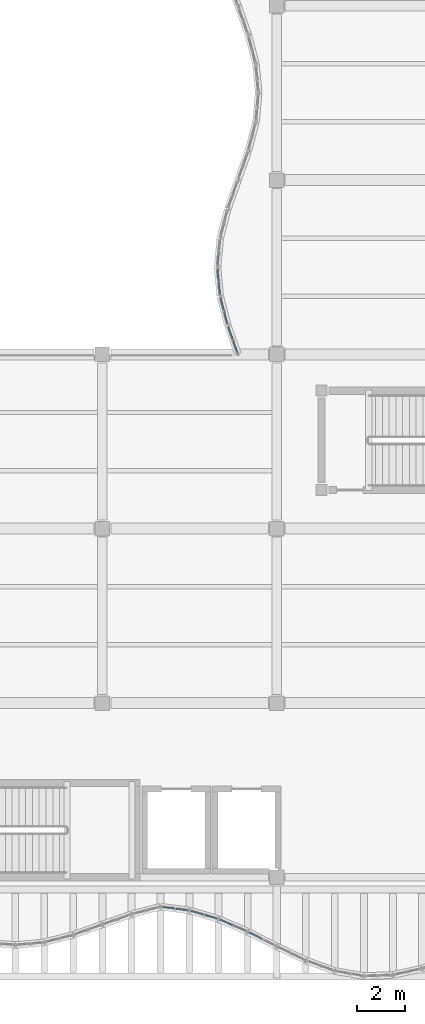
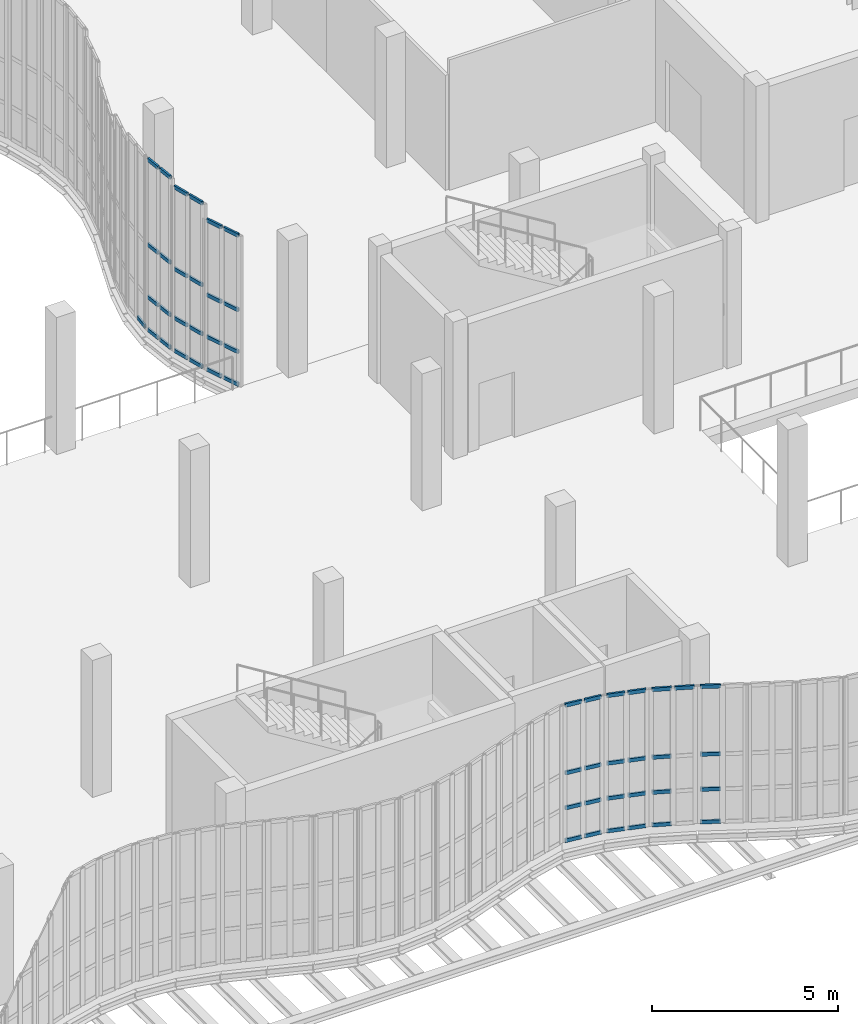
# One storey, part 50 of 105: 50 members, 8 elements without a shape of their own.
"""IFC4 building model written with IfcOpenShell, lengths in metres."""

from ifc_helpers import new_model, si_unit, direction, frame, origin, origin_2d, place, context, subcontext, project, spatial, hollow_rectangle, extrude, material, layer, layer_set, material_profile, profile_set, type_object, element, aggregate, save


model = new_model("IFC4")

# Units and contexts
model_context = context("Model", 3, precision=1e-05, world=origin(), true_north=direction((0.0, 1.0)))
body_context = subcontext(model_context, "Body", "Model", "MODEL_VIEW")
ifc_project = project(units=[si_unit("LENGTHUNIT", "METRE"), si_unit("AREAUNIT", "SQUARE_METRE"), si_unit("VOLUMEUNIT", "CUBIC_METRE"), si_unit("PLANEANGLEUNIT", "RADIAN"), si_unit("MASSUNIT", "GRAM", prefix="KILO"), si_unit("THERMODYNAMICTEMPERATUREUNIT", "KELVIN"), si_unit("POWERUNIT", "WATT")], contexts=[model_context])

# Site, building, storey
site_placement = place(None, origin())
site = spatial("IfcSite", under=ifc_project, at=site_placement, CompositionType="ELEMENT")
building_placement = place(site_placement, origin())
building = spatial("IfcBuilding", under=site, at=building_placement, Name="Kaldorven Railside Theatre", CompositionType="ELEMENT")
storey_placement = place(building_placement, frame((0.0, 0.0, 9.89990234375)))
storey = spatial("IfcBuildingStorey", under=building, at=storey_placement, Name="L02", CompositionType="ELEMENT", Elevation=9.89990234375)

# Curtain wall, members
ifc_material_1 = material(Name="Low-E laminated solar-control glass", Category="glass")
ifc_layer_1 = layer(ifc_material_1, 0.159912109375, Name="Low-E laminated solar-control glass")
ifc_layer_set_1 = layer_set([ifc_layer_1], Name="Low-E laminated solar-control glass")
curtain_wall_type_1 = type_object("IfcCurtainWallType", Name="CWT-03", PredefinedType="USERDEFINED", material=ifc_layer_set_1)
curtain_wall_1_placement = place(storey_placement, origin())
curtain_wall_1 = element("IfcCurtainWall", 1, at=curtain_wall_1_placement, inside=storey, type_object=curtain_wall_type_1, Name="Sinusoidal Fluted Curtain Wall CW-L02-S27", ObjectType="FLUTED GLAZING", PredefinedType="USERDEFINED")
ifc_material_2 = material(Name="Anodised bronze aluminium", Category="aluminium")
ifc_material_profile = material_profile(ifc_material_2, hollow_rectangle(XDim=0.06005859375, YDim=0.1201171875, WallThickness=0.0048828125, at=origin_2d()), Name="RHS 120x60x5")
ifc_profile_set = profile_set([ifc_material_profile], Name="Anodised bronze aluminium")
member_type = type_object("IfcMemberType", Name="CWT-120", PredefinedType="USERDEFINED", material=ifc_profile_set)
member_1_placement = place(storey_placement, frame((68.079345703125, 17.975830078125, 0.030029296875), z_axis=(0.991662051315, -0.128865728496, 0.0), x_axis=(0.128865728496, 0.991662051315, 0.0)))
member_1 = element("IfcMember", 2, at=member_1_placement, type_object=member_type, Name="CW-L02-S27 transom 1.1", ObjectType="TRANSOM", PredefinedType="USERDEFINED", context=body_context, shape_type="SweptSolid", body=[
    extrude(hollow_rectangle(XDim=0.06005859375, YDim=0.1201171875, WallThickness=0.0048828125, at=origin_2d()), origin(), (0.0, 0.0, 1.0), 0.485107421875),
])
member_2_placement = place(storey_placement, frame((68.079345703125, 17.975830078125, 1.10009765625), z_axis=(0.991662051315, -0.128865728496, 0.0), x_axis=(0.128865728496, 0.991662051315, 0.0)))
member_2 = element("IfcMember", 3, at=member_2_placement, type_object=member_type, Name="CW-L02-S27 transom 1.2", ObjectType="TRANSOM", PredefinedType="USERDEFINED", context=body_context, shape_type="SweptSolid", body=[
    extrude(hollow_rectangle(XDim=0.06005859375, YDim=0.1201171875, WallThickness=0.0048828125, at=origin_2d()), origin(), (0.0, 0.0, 1.0), 0.485107421875),
])
member_3_placement = place(storey_placement, frame((68.079345703125, 17.975830078125, 2.25), z_axis=(0.991662051315, -0.128865728496, 0.0), x_axis=(0.128865728496, 0.991662051315, 0.0)))
member_3 = element("IfcMember", 4, at=member_3_placement, type_object=member_type, Name="CW-L02-S27 transom 1.3", ObjectType="TRANSOM", PredefinedType="USERDEFINED", context=body_context, shape_type="SweptSolid", body=[
    extrude(hollow_rectangle(XDim=0.06005859375, YDim=0.1201171875, WallThickness=0.0048828125, at=origin_2d()), origin(), (0.0, 0.0, 1.0), 0.485107421875),
])
member_4_placement = place(storey_placement, frame((68.079345703125, 17.975830078125, 4.47021484375), z_axis=(0.991662051315, -0.128865728496, 0.0), x_axis=(0.128865728496, 0.991662051315, 0.0)))
member_4 = element("IfcMember", 5, at=member_4_placement, type_object=member_type, Name="CW-L02-S27 transom 1.4", ObjectType="TRANSOM", PredefinedType="USERDEFINED", context=body_context, shape_type="SweptSolid", body=[
    extrude(hollow_rectangle(XDim=0.06005859375, YDim=0.1201171875, WallThickness=0.0048828125, at=origin_2d()), origin(), (0.0, 0.0, 1.0), 0.485107421875),
])
member_5_placement = place(storey_placement, frame((68.6396484375, 17.903076171875, 0.030029296875), z_axis=(0.991662051315, -0.128865728496, 0.0), x_axis=(0.128865728496, 0.991662051315, 0.0)))
member_5 = element("IfcMember", 6, at=member_5_placement, type_object=member_type, Name="CW-L02-S27 transom 2.1", ObjectType="TRANSOM", PredefinedType="USERDEFINED", context=body_context, shape_type="SweptSolid", body=[
    extrude(hollow_rectangle(XDim=0.06005859375, YDim=0.1201171875, WallThickness=0.0048828125, at=origin_2d()), origin(), (0.0, 0.0, 1.0), 0.485107421875),
])
member_6_placement = place(storey_placement, frame((68.6396484375, 17.903076171875, 1.10009765625), z_axis=(0.991662051315, -0.128865728496, 0.0), x_axis=(0.128865728496, 0.991662051315, 0.0)))
member_6 = element("IfcMember", 7, at=member_6_placement, type_object=member_type, Name="CW-L02-S27 transom 2.2", ObjectType="TRANSOM", PredefinedType="USERDEFINED", context=body_context, shape_type="SweptSolid", body=[
    extrude(hollow_rectangle(XDim=0.06005859375, YDim=0.1201171875, WallThickness=0.0048828125, at=origin_2d()), origin(), (0.0, 0.0, 1.0), 0.485107421875),
])
member_7_placement = place(storey_placement, frame((68.6396484375, 17.903076171875, 2.25), z_axis=(0.991662051315, -0.128865728496, 0.0), x_axis=(0.128865728496, 0.991662051315, 0.0)))
member_7 = element("IfcMember", 8, at=member_7_placement, type_object=member_type, Name="CW-L02-S27 transom 2.3", ObjectType="TRANSOM", PredefinedType="USERDEFINED", context=body_context, shape_type="SweptSolid", body=[
    extrude(hollow_rectangle(XDim=0.06005859375, YDim=0.1201171875, WallThickness=0.0048828125, at=origin_2d()), origin(), (0.0, 0.0, 1.0), 0.485107421875),
])
member_8_placement = place(storey_placement, frame((68.6396484375, 17.903076171875, 4.47021484375), z_axis=(0.991662051315, -0.128865728496, 0.0), x_axis=(0.128865728496, 0.991662051315, 0.0)))
member_8 = element("IfcMember", 9, at=member_8_placement, type_object=member_type, Name="CW-L02-S27 transom 2.4", ObjectType="TRANSOM", PredefinedType="USERDEFINED", context=body_context, shape_type="SweptSolid", body=[
    extrude(hollow_rectangle(XDim=0.06005859375, YDim=0.1201171875, WallThickness=0.0048828125, at=origin_2d()), origin(), (0.0, 0.0, 1.0), 0.485107421875),
])
aggregate(curtain_wall_1, [member_1, member_2, member_3, member_4, member_5, member_6, member_7, member_8])

ifc_layer_2 = layer(ifc_material_1, 0.159912109375, Name="Low-E laminated solar-control glass")
ifc_layer_set_2 = layer_set([ifc_layer_2], Name="Low-E laminated solar-control glass")
curtain_wall_type_2 = type_object("IfcCurtainWallType", Name="CWT-04", PredefinedType="USERDEFINED", material=ifc_layer_set_2)
curtain_wall_2_placement = place(storey_placement, origin())
curtain_wall_2 = element("IfcCurtainWall", 10, at=curtain_wall_2_placement, inside=storey, type_object=curtain_wall_type_2, Name="Sinusoidal Fluted Curtain Wall CW-L02-S28", ObjectType="FLUTED GLAZING", PredefinedType="USERDEFINED")
member_9_placement = place(storey_placement, frame((69.276611328125, 17.8076171875, 0.030029296875), z_axis=(0.959157704719, -0.282871874668, 0.0), x_axis=(0.282871874668, 0.959157704719, 0.0)))
member_9 = element("IfcMember", 11, at=member_9_placement, type_object=member_type, Name="CW-L02-S28 transom 1.1", ObjectType="TRANSOM", PredefinedType="USERDEFINED", context=body_context, shape_type="SweptSolid", body=[
    extrude(hollow_rectangle(XDim=0.06005859375, YDim=0.1201171875, WallThickness=0.0048828125, at=origin_2d()), origin(), (0.0, 0.0, 1.0), 0.505859375),
])
member_10_placement = place(storey_placement, frame((69.276611328125, 17.8076171875, 1.10009765625), z_axis=(0.959157704719, -0.282871874668, 0.0), x_axis=(0.282871874668, 0.959157704719, 0.0)))
member_10 = element("IfcMember", 12, at=member_10_placement, type_object=member_type, Name="CW-L02-S28 transom 1.2", ObjectType="TRANSOM", PredefinedType="USERDEFINED", context=body_context, shape_type="SweptSolid", body=[
    extrude(hollow_rectangle(XDim=0.06005859375, YDim=0.1201171875, WallThickness=0.0048828125, at=origin_2d()), origin(), (0.0, 0.0, 1.0), 0.505859375),
])
member_11_placement = place(storey_placement, frame((69.276611328125, 17.8076171875, 2.25), z_axis=(0.959157704719, -0.282871874668, 0.0), x_axis=(0.282871874668, 0.959157704719, 0.0)))
member_11 = element("IfcMember", 13, at=member_11_placement, type_object=member_type, Name="CW-L02-S28 transom 1.3", ObjectType="TRANSOM", PredefinedType="USERDEFINED", context=body_context, shape_type="SweptSolid", body=[
    extrude(hollow_rectangle(XDim=0.06005859375, YDim=0.1201171875, WallThickness=0.0048828125, at=origin_2d()), origin(), (0.0, 0.0, 1.0), 0.505859375),
])
member_12_placement = place(storey_placement, frame((69.276611328125, 17.8076171875, 4.47021484375), z_axis=(0.959157704719, -0.282871874668, 0.0), x_axis=(0.282871874668, 0.959157704719, 0.0)))
member_12 = element("IfcMember", 14, at=member_12_placement, type_object=member_type, Name="CW-L02-S28 transom 1.4", ObjectType="TRANSOM", PredefinedType="USERDEFINED", context=body_context, shape_type="SweptSolid", body=[
    extrude(hollow_rectangle(XDim=0.06005859375, YDim=0.1201171875, WallThickness=0.0048828125, at=origin_2d()), origin(), (0.0, 0.0, 1.0), 0.505859375),
])
member_13_placement = place(storey_placement, frame((69.83837890625, 17.64208984375, 0.030029296875), z_axis=(0.959119052593, -0.283002902729, 0.0), x_axis=(0.283002902729, 0.959119052593, 0.0)))
member_13 = element("IfcMember", 15, at=member_13_placement, type_object=member_type, Name="CW-L02-S28 transom 2.1", ObjectType="TRANSOM", PredefinedType="USERDEFINED", context=body_context, shape_type="SweptSolid", body=[
    extrude(hollow_rectangle(XDim=0.06005859375, YDim=0.1201171875, WallThickness=0.0048828125, at=origin_2d()), origin(), (0.0, 0.0, 1.0), 0.505615234375),
])
member_14_placement = place(storey_placement, frame((69.83837890625, 17.64208984375, 1.10009765625), z_axis=(0.959119052593, -0.283002902729, 0.0), x_axis=(0.283002902729, 0.959119052593, 0.0)))
member_14 = element("IfcMember", 16, at=member_14_placement, type_object=member_type, Name="CW-L02-S28 transom 2.2", ObjectType="TRANSOM", PredefinedType="USERDEFINED", context=body_context, shape_type="SweptSolid", body=[
    extrude(hollow_rectangle(XDim=0.06005859375, YDim=0.1201171875, WallThickness=0.0048828125, at=origin_2d()), origin(), (0.0, 0.0, 1.0), 0.505615234375),
])
member_15_placement = place(storey_placement, frame((69.83837890625, 17.64208984375, 2.25), z_axis=(0.959119052593, -0.283002902729, 0.0), x_axis=(0.283002902729, 0.959119052593, 0.0)))
member_15 = element("IfcMember", 17, at=member_15_placement, type_object=member_type, Name="CW-L02-S28 transom 2.3", ObjectType="TRANSOM", PredefinedType="USERDEFINED", context=body_context, shape_type="SweptSolid", body=[
    extrude(hollow_rectangle(XDim=0.06005859375, YDim=0.1201171875, WallThickness=0.0048828125, at=origin_2d()), origin(), (0.0, 0.0, 1.0), 0.505615234375),
])
member_16_placement = place(storey_placement, frame((69.83837890625, 17.64208984375, 4.47021484375), z_axis=(0.959119052593, -0.283002902729, 0.0), x_axis=(0.283002902729, 0.959119052593, 0.0)))
member_16 = element("IfcMember", 18, at=member_16_placement, type_object=member_type, Name="CW-L02-S28 transom 2.4", ObjectType="TRANSOM", PredefinedType="USERDEFINED", context=body_context, shape_type="SweptSolid", body=[
    extrude(hollow_rectangle(XDim=0.06005859375, YDim=0.1201171875, WallThickness=0.0048828125, at=origin_2d()), origin(), (0.0, 0.0, 1.0), 0.505615234375),
])
aggregate(curtain_wall_2, [member_9, member_10, member_11, member_12, member_13, member_14, member_15, member_16])

ifc_layer_3 = layer(ifc_material_1, 0.159912109375, Name="Low-E laminated solar-control glass")
ifc_layer_set_3 = layer_set([ifc_layer_3], Name="Low-E laminated solar-control glass")
curtain_wall_type_3 = type_object("IfcCurtainWallType", Name="CWT-05", PredefinedType="USERDEFINED", material=ifc_layer_set_3)
curtain_wall_3_placement = place(storey_placement, origin())
curtain_wall_3 = element("IfcCurtainWall", 19, at=curtain_wall_3_placement, inside=storey, type_object=curtain_wall_type_3, Name="Sinusoidal Fluted Curtain Wall CW-L02-S29", ObjectType="FLUTED GLAZING", PredefinedType="USERDEFINED")
member_17_placement = place(storey_placement, frame((70.473388671875, 17.444580078125, 0.030029296875), z_axis=(0.917004668274, -0.398876470056, 0.0), x_axis=(0.398876470056, 0.917004668274, 0.0)))
member_17 = element("IfcMember", 20, at=member_17_placement, type_object=member_type, Name="CW-L02-S29 transom 1.1", ObjectType="TRANSOM", PredefinedType="USERDEFINED", context=body_context, shape_type="SweptSolid", body=[
    extrude(hollow_rectangle(XDim=0.06005859375, YDim=0.1201171875, WallThickness=0.0048828125, at=origin_2d()), origin(), (0.0, 0.0, 1.0), 0.534423828125),
])
member_18_placement = place(storey_placement, frame((70.473388671875, 17.444580078125, 1.10009765625), z_axis=(0.917004668274, -0.398876470056, 0.0), x_axis=(0.398876470056, 0.917004668274, 0.0)))
member_18 = element("IfcMember", 21, at=member_18_placement, type_object=member_type, Name="CW-L02-S29 transom 1.2", ObjectType="TRANSOM", PredefinedType="USERDEFINED", context=body_context, shape_type="SweptSolid", body=[
    extrude(hollow_rectangle(XDim=0.06005859375, YDim=0.1201171875, WallThickness=0.0048828125, at=origin_2d()), origin(), (0.0, 0.0, 1.0), 0.534423828125),
])
member_19_placement = place(storey_placement, frame((70.473388671875, 17.444580078125, 2.25), z_axis=(0.917004668274, -0.398876470056, 0.0), x_axis=(0.398876470056, 0.917004668274, 0.0)))
member_19 = element("IfcMember", 22, at=member_19_placement, type_object=member_type, Name="CW-L02-S29 transom 1.3", ObjectType="TRANSOM", PredefinedType="USERDEFINED", context=body_context, shape_type="SweptSolid", body=[
    extrude(hollow_rectangle(XDim=0.06005859375, YDim=0.1201171875, WallThickness=0.0048828125, at=origin_2d()), origin(), (0.0, 0.0, 1.0), 0.534423828125),
])
member_20_placement = place(storey_placement, frame((70.473388671875, 17.444580078125, 4.47021484375), z_axis=(0.917004668274, -0.398876470056, 0.0), x_axis=(0.398876470056, 0.917004668274, 0.0)))
member_20 = element("IfcMember", 23, at=member_20_placement, type_object=member_type, Name="CW-L02-S29 transom 1.4", ObjectType="TRANSOM", PredefinedType="USERDEFINED", context=body_context, shape_type="SweptSolid", body=[
    extrude(hollow_rectangle(XDim=0.06005859375, YDim=0.1201171875, WallThickness=0.0048828125, at=origin_2d()), origin(), (0.0, 0.0, 1.0), 0.534423828125),
])
member_21_placement = place(storey_placement, frame((71.03662109375, 17.199462890625, 4.47021484375), z_axis=(0.917004668274, -0.398876470056, 0.0), x_axis=(0.398876470056, 0.917004668274, 0.0)))
member_21 = element("IfcMember", 24, at=member_21_placement, type_object=member_type, Name="CW-L02-S29 transom 2.4", ObjectType="TRANSOM", PredefinedType="USERDEFINED", context=body_context, shape_type="SweptSolid", body=[
    extrude(hollow_rectangle(XDim=0.06005859375, YDim=0.1201171875, WallThickness=0.0048828125, at=origin_2d()), origin(), (0.0, 0.0, 1.0), 0.534423828125),
])
aggregate(curtain_wall_3, [member_17, member_18, member_19, member_20, member_21])

ifc_layer_4 = layer(ifc_material_1, 0.159912109375, Name="Low-E laminated solar-control glass")
ifc_layer_set_4 = layer_set([ifc_layer_4], Name="Low-E laminated solar-control glass")
curtain_wall_type_4 = type_object("IfcCurtainWallType", Name="CWT-06", PredefinedType="USERDEFINED", material=ifc_layer_set_4)
curtain_wall_4_placement = place(storey_placement, origin())
curtain_wall_4 = element("IfcCurtainWall", 25, at=curtain_wall_4_placement, inside=storey, type_object=curtain_wall_type_4, Name="Sinusoidal Fluted Curtain Wall CW-L02-S30", ObjectType="FLUTED GLAZING", PredefinedType="USERDEFINED")
member_22_placement = place(storey_placement, frame((71.67138671875, 16.918212890625, 0.030029296875), z_axis=(0.892384777665, -0.451275313519, 0.0), x_axis=(0.451275313519, 0.892384777665, 0.0)))
member_22 = element("IfcMember", 26, at=member_22_placement, type_object=member_type, Name="CW-L02-S30 transom 1.1", ObjectType="TRANSOM", PredefinedType="USERDEFINED", context=body_context, shape_type="SweptSolid", body=[
    extrude(hollow_rectangle(XDim=0.06005859375, YDim=0.1201171875, WallThickness=0.0048828125, at=origin_2d()), origin(), (0.0, 0.0, 1.0), 0.55224609375),
])
member_23_placement = place(storey_placement, frame((71.67138671875, 16.918212890625, 1.10009765625), z_axis=(0.892384777665, -0.451275313519, 0.0), x_axis=(0.451275313519, 0.892384777665, 0.0)))
member_23 = element("IfcMember", 27, at=member_23_placement, type_object=member_type, Name="CW-L02-S30 transom 1.2", ObjectType="TRANSOM", PredefinedType="USERDEFINED", context=body_context, shape_type="SweptSolid", body=[
    extrude(hollow_rectangle(XDim=0.06005859375, YDim=0.1201171875, WallThickness=0.0048828125, at=origin_2d()), origin(), (0.0, 0.0, 1.0), 0.55224609375),
])
member_24_placement = place(storey_placement, frame((71.67138671875, 16.918212890625, 2.25), z_axis=(0.892384777665, -0.451275313519, 0.0), x_axis=(0.451275313519, 0.892384777665, 0.0)))
member_24 = element("IfcMember", 28, at=member_24_placement, type_object=member_type, Name="CW-L02-S30 transom 1.3", ObjectType="TRANSOM", PredefinedType="USERDEFINED", context=body_context, shape_type="SweptSolid", body=[
    extrude(hollow_rectangle(XDim=0.06005859375, YDim=0.1201171875, WallThickness=0.0048828125, at=origin_2d()), origin(), (0.0, 0.0, 1.0), 0.55224609375),
])
member_25_placement = place(storey_placement, frame((71.67138671875, 16.918212890625, 4.47021484375), z_axis=(0.892384777665, -0.451275313519, 0.0), x_axis=(0.451275313519, 0.892384777665, 0.0)))
member_25 = element("IfcMember", 29, at=member_25_placement, type_object=member_type, Name="CW-L02-S30 transom 1.4", ObjectType="TRANSOM", PredefinedType="USERDEFINED", context=body_context, shape_type="SweptSolid", body=[
    extrude(hollow_rectangle(XDim=0.06005859375, YDim=0.1201171875, WallThickness=0.0048828125, at=origin_2d()), origin(), (0.0, 0.0, 1.0), 0.55224609375),
])
aggregate(curtain_wall_4, [member_22, member_23, member_24, member_25])

ifc_layer_5 = layer(ifc_material_1, 0.159912109375, Name="Low-E laminated solar-control glass")
ifc_layer_set_5 = layer_set([ifc_layer_5], Name="Low-E laminated solar-control glass")
curtain_wall_type_5 = type_object("IfcCurtainWallType", Name="CWT-22", PredefinedType="USERDEFINED", material=ifc_layer_set_5)
curtain_wall_5_placement = place(storey_placement, origin())
curtain_wall_5 = element("IfcCurtainWall", 30, at=curtain_wall_5_placement, inside=storey, type_object=curtain_wall_type_5, Name="Sinusoidal Fluted Curtain Wall CW-L02-W01", ObjectType="FLUTED GLAZING", PredefinedType="USERDEFINED")
member_26_placement = place(storey_placement, frame((71.17333984375, 40.87548828125, 0.030029296875), z_axis=(-0.334179614745, 0.942509408488, 0.0), x_axis=(-0.942509408488, -0.334179614745, 0.0)))
member_26 = element("IfcMember", 31, at=member_26_placement, type_object=member_type, Name="CW-L02-W01 transom 1.1", ObjectType="TRANSOM", PredefinedType="USERDEFINED", context=body_context, shape_type="SweptSolid", body=[
    extrude(hollow_rectangle(XDim=0.06005859375, YDim=0.1201171875, WallThickness=0.0048828125, at=origin_2d()), origin(), (0.0, 0.0, 1.0), 0.5166015625),
])
member_27_placement = place(storey_placement, frame((71.17333984375, 40.87548828125, 1.10009765625), z_axis=(-0.334179614745, 0.942509408488, 0.0), x_axis=(-0.942509408488, -0.334179614745, 0.0)))
member_27 = element("IfcMember", 32, at=member_27_placement, type_object=member_type, Name="CW-L02-W01 transom 1.2", ObjectType="TRANSOM", PredefinedType="USERDEFINED", context=body_context, shape_type="SweptSolid", body=[
    extrude(hollow_rectangle(XDim=0.06005859375, YDim=0.1201171875, WallThickness=0.0048828125, at=origin_2d()), origin(), (0.0, 0.0, 1.0), 0.5166015625),
])
member_28_placement = place(storey_placement, frame((71.17333984375, 40.87548828125, 2.47509765625), z_axis=(-0.334179614745, 0.942509408488, 0.0), x_axis=(-0.942509408488, -0.334179614745, 0.0)))
member_28 = element("IfcMember", 33, at=member_28_placement, type_object=member_type, Name="CW-L02-W01 transom 1.3", ObjectType="TRANSOM", PredefinedType="USERDEFINED", context=body_context, shape_type="SweptSolid", body=[
    extrude(hollow_rectangle(XDim=0.06005859375, YDim=0.1201171875, WallThickness=0.0048828125, at=origin_2d()), origin(), (0.0, 0.0, 1.0), 0.5166015625),
])
member_29_placement = place(storey_placement, frame((71.17333984375, 40.87548828125, 4.920166015625), z_axis=(-0.334179614745, 0.942509408488, 0.0), x_axis=(-0.942509408488, -0.334179614745, 0.0)))
member_29 = element("IfcMember", 34, at=member_29_placement, type_object=member_type, Name="CW-L02-W01 transom 1.4", ObjectType="TRANSOM", PredefinedType="USERDEFINED", context=body_context, shape_type="SweptSolid", body=[
    extrude(hollow_rectangle(XDim=0.06005859375, YDim=0.1201171875, WallThickness=0.0048828125, at=origin_2d()), origin(), (0.0, 0.0, 1.0), 0.5166015625),
])
member_30_placement = place(storey_placement, frame((70.97412109375, 41.437744140625, 0.030029296875), z_axis=(-0.333759628763, 0.942658214948, 0.0), x_axis=(-0.942658214948, -0.333759628763, 0.0)))
member_30 = element("IfcMember", 35, at=member_30_placement, type_object=member_type, Name="CW-L02-W01 transom 2.1", ObjectType="TRANSOM", PredefinedType="USERDEFINED", context=body_context, shape_type="SweptSolid", body=[
    extrude(hollow_rectangle(XDim=0.06005859375, YDim=0.1201171875, WallThickness=0.0048828125, at=origin_2d()), origin(), (0.0, 0.0, 1.0), 0.516357421875),
])
member_31_placement = place(storey_placement, frame((70.97412109375, 41.437744140625, 1.10009765625), z_axis=(-0.333759628763, 0.942658214948, 0.0), x_axis=(-0.942658214948, -0.333759628763, 0.0)))
member_31 = element("IfcMember", 36, at=member_31_placement, type_object=member_type, Name="CW-L02-W01 transom 2.2", ObjectType="TRANSOM", PredefinedType="USERDEFINED", context=body_context, shape_type="SweptSolid", body=[
    extrude(hollow_rectangle(XDim=0.06005859375, YDim=0.1201171875, WallThickness=0.0048828125, at=origin_2d()), origin(), (0.0, 0.0, 1.0), 0.516357421875),
])
member_32_placement = place(storey_placement, frame((70.97412109375, 41.437744140625, 2.47509765625), z_axis=(-0.333759628763, 0.942658214948, 0.0), x_axis=(-0.942658214948, -0.333759628763, 0.0)))
member_32 = element("IfcMember", 37, at=member_32_placement, type_object=member_type, Name="CW-L02-W01 transom 2.3", ObjectType="TRANSOM", PredefinedType="USERDEFINED", context=body_context, shape_type="SweptSolid", body=[
    extrude(hollow_rectangle(XDim=0.06005859375, YDim=0.1201171875, WallThickness=0.0048828125, at=origin_2d()), origin(), (0.0, 0.0, 1.0), 0.516357421875),
])
member_33_placement = place(storey_placement, frame((70.97412109375, 41.437744140625, 4.920166015625), z_axis=(-0.333759628763, 0.942658214948, 0.0), x_axis=(-0.942658214948, -0.333759628763, 0.0)))
member_33 = element("IfcMember", 38, at=member_33_placement, type_object=member_type, Name="CW-L02-W01 transom 2.4", ObjectType="TRANSOM", PredefinedType="USERDEFINED", context=body_context, shape_type="SweptSolid", body=[
    extrude(hollow_rectangle(XDim=0.06005859375, YDim=0.1201171875, WallThickness=0.0048828125, at=origin_2d()), origin(), (0.0, 0.0, 1.0), 0.516357421875),
])
aggregate(curtain_wall_5, [member_26, member_27, member_28, member_29, member_30, member_31, member_32, member_33])

ifc_layer_6 = layer(ifc_material_1, 0.159912109375, Name="Low-E laminated solar-control glass")
ifc_layer_set_6 = layer_set([ifc_layer_6], Name="Low-E laminated solar-control glass")
curtain_wall_type_6 = type_object("IfcCurtainWallType", Name="CWT-23", PredefinedType="USERDEFINED", material=ifc_layer_set_6)
curtain_wall_6_placement = place(storey_placement, origin())
curtain_wall_6 = element("IfcCurtainWall", 39, at=curtain_wall_6_placement, inside=storey, type_object=curtain_wall_type_6, Name="Sinusoidal Fluted Curtain Wall CW-L02-W02", ObjectType="FLUTED GLAZING", PredefinedType="USERDEFINED")
member_34_placement = place(storey_placement, frame((70.7548828125, 42.077392578125, 0.030029296875), z_axis=(-0.251029954561, 0.967979318949, 0.0), x_axis=(-0.967979318949, -0.251029954561, 0.0)))
member_34 = element("IfcMember", 40, at=member_34_placement, type_object=member_type, Name="CW-L02-W02 transom 1.1", ObjectType="TRANSOM", PredefinedType="USERDEFINED", context=body_context, shape_type="SweptSolid", body=[
    extrude(hollow_rectangle(XDim=0.06005859375, YDim=0.1201171875, WallThickness=0.0048828125, at=origin_2d()), origin(), (0.0, 0.0, 1.0), 0.5),
])
member_35_placement = place(storey_placement, frame((70.7548828125, 42.077392578125, 1.10009765625), z_axis=(-0.251029954561, 0.967979318949, 0.0), x_axis=(-0.967979318949, -0.251029954561, 0.0)))
member_35 = element("IfcMember", 41, at=member_35_placement, type_object=member_type, Name="CW-L02-W02 transom 1.2", ObjectType="TRANSOM", PredefinedType="USERDEFINED", context=body_context, shape_type="SweptSolid", body=[
    extrude(hollow_rectangle(XDim=0.06005859375, YDim=0.1201171875, WallThickness=0.0048828125, at=origin_2d()), origin(), (0.0, 0.0, 1.0), 0.5),
])
member_36_placement = place(storey_placement, frame((70.7548828125, 42.077392578125, 2.710205078125), z_axis=(-0.251029954561, 0.967979318949, 0.0), x_axis=(-0.967979318949, -0.251029954561, 0.0)))
member_36 = element("IfcMember", 42, at=member_36_placement, type_object=member_type, Name="CW-L02-W02 transom 1.3", ObjectType="TRANSOM", PredefinedType="USERDEFINED", context=body_context, shape_type="SweptSolid", body=[
    extrude(hollow_rectangle(XDim=0.06005859375, YDim=0.1201171875, WallThickness=0.0048828125, at=origin_2d()), origin(), (0.0, 0.0, 1.0), 0.5),
])
member_37_placement = place(storey_placement, frame((70.7548828125, 42.077392578125, 5.39013671875), z_axis=(-0.251029954561, 0.967979318949, 0.0), x_axis=(-0.967979318949, -0.251029954561, 0.0)))
member_37 = element("IfcMember", 43, at=member_37_placement, type_object=member_type, Name="CW-L02-W02 transom 1.4", ObjectType="TRANSOM", PredefinedType="USERDEFINED", context=body_context, shape_type="SweptSolid", body=[
    extrude(hollow_rectangle(XDim=0.06005859375, YDim=0.1201171875, WallThickness=0.0048828125, at=origin_2d()), origin(), (0.0, 0.0, 1.0), 0.5),
])
member_38_placement = place(storey_placement, frame((70.609375, 42.638671875, 0.030029296875), z_axis=(-0.251029954561, 0.967979318949, 0.0), x_axis=(-0.967979318949, -0.251029954561, 0.0)))
member_38 = element("IfcMember", 44, at=member_38_placement, type_object=member_type, Name="CW-L02-W02 transom 2.1", ObjectType="TRANSOM", PredefinedType="USERDEFINED", context=body_context, shape_type="SweptSolid", body=[
    extrude(hollow_rectangle(XDim=0.06005859375, YDim=0.1201171875, WallThickness=0.0048828125, at=origin_2d()), origin(), (0.0, 0.0, 1.0), 0.5),
])
member_39_placement = place(storey_placement, frame((70.609375, 42.638671875, 1.10009765625), z_axis=(-0.251029954561, 0.967979318949, 0.0), x_axis=(-0.967979318949, -0.251029954561, 0.0)))
member_39 = element("IfcMember", 45, at=member_39_placement, type_object=member_type, Name="CW-L02-W02 transom 2.2", ObjectType="TRANSOM", PredefinedType="USERDEFINED", context=body_context, shape_type="SweptSolid", body=[
    extrude(hollow_rectangle(XDim=0.06005859375, YDim=0.1201171875, WallThickness=0.0048828125, at=origin_2d()), origin(), (0.0, 0.0, 1.0), 0.5),
])
member_40_placement = place(storey_placement, frame((70.609375, 42.638671875, 2.710205078125), z_axis=(-0.251029954561, 0.967979318949, 0.0), x_axis=(-0.967979318949, -0.251029954561, 0.0)))
member_40 = element("IfcMember", 46, at=member_40_placement, type_object=member_type, Name="CW-L02-W02 transom 2.3", ObjectType="TRANSOM", PredefinedType="USERDEFINED", context=body_context, shape_type="SweptSolid", body=[
    extrude(hollow_rectangle(XDim=0.06005859375, YDim=0.1201171875, WallThickness=0.0048828125, at=origin_2d()), origin(), (0.0, 0.0, 1.0), 0.5),
])
member_41_placement = place(storey_placement, frame((70.609375, 42.638671875, 5.39013671875), z_axis=(-0.251029954561, 0.967979318949, 0.0), x_axis=(-0.967979318949, -0.251029954561, 0.0)))
member_41 = element("IfcMember", 47, at=member_41_placement, type_object=member_type, Name="CW-L02-W02 transom 2.4", ObjectType="TRANSOM", PredefinedType="USERDEFINED", context=body_context, shape_type="SweptSolid", body=[
    extrude(hollow_rectangle(XDim=0.06005859375, YDim=0.1201171875, WallThickness=0.0048828125, at=origin_2d()), origin(), (0.0, 0.0, 1.0), 0.5),
])
aggregate(curtain_wall_6, [member_34, member_35, member_36, member_37, member_38, member_39, member_40, member_41])

ifc_layer_7 = layer(ifc_material_1, 0.159912109375, Name="Low-E laminated solar-control glass")
ifc_layer_set_7 = layer_set([ifc_layer_7], Name="Low-E laminated solar-control glass")
curtain_wall_type_7 = type_object("IfcCurtainWallType", Name="CWT-24", PredefinedType="USERDEFINED", material=ifc_layer_set_7)
curtain_wall_7_placement = place(storey_placement, origin())
curtain_wall_7 = element("IfcCurtainWall", 48, at=curtain_wall_7_placement, inside=storey, type_object=curtain_wall_type_7, Name="Sinusoidal Fluted Curtain Wall CW-L02-W03", ObjectType="FLUTED GLAZING", PredefinedType="USERDEFINED")
member_42_placement = place(storey_placement, frame((70.456298828125, 43.279541015625, 0.030029296875), z_axis=(-0.094546633378, 0.995520433802, 0.0), x_axis=(-0.995520433802, -0.094546633378, 0.0)))
member_42 = element("IfcMember", 49, at=member_42_placement, type_object=member_type, Name="CW-L02-W03 transom 1.1", ObjectType="TRANSOM", PredefinedType="USERDEFINED", context=body_context, shape_type="SweptSolid", body=[
    extrude(hollow_rectangle(XDim=0.06005859375, YDim=0.1201171875, WallThickness=0.0048828125, at=origin_2d()), origin(), (0.0, 0.0, 1.0), 0.48291015625),
])
member_43_placement = place(storey_placement, frame((70.456298828125, 43.279541015625, 1.10009765625), z_axis=(-0.094546633378, 0.995520433802, 0.0), x_axis=(-0.995520433802, -0.094546633378, 0.0)))
member_43 = element("IfcMember", 50, at=member_43_placement, type_object=member_type, Name="CW-L02-W03 transom 1.2", ObjectType="TRANSOM", PredefinedType="USERDEFINED", context=body_context, shape_type="SweptSolid", body=[
    extrude(hollow_rectangle(XDim=0.06005859375, YDim=0.1201171875, WallThickness=0.0048828125, at=origin_2d()), origin(), (0.0, 0.0, 1.0), 0.48291015625),
])
member_44_placement = place(storey_placement, frame((70.456298828125, 43.279541015625, 2.820068359375), z_axis=(-0.094546633378, 0.995520433802, 0.0), x_axis=(-0.995520433802, -0.094546633378, 0.0)))
member_44 = element("IfcMember", 51, at=member_44_placement, type_object=member_type, Name="CW-L02-W03 transom 1.3", ObjectType="TRANSOM", PredefinedType="USERDEFINED", context=body_context, shape_type="SweptSolid", body=[
    extrude(hollow_rectangle(XDim=0.06005859375, YDim=0.1201171875, WallThickness=0.0048828125, at=origin_2d()), origin(), (0.0, 0.0, 1.0), 0.48291015625),
])
member_45_placement = place(storey_placement, frame((70.456298828125, 43.279541015625, 5.610107421875), z_axis=(-0.094546633378, 0.995520433802, 0.0), x_axis=(-0.995520433802, -0.094546633378, 0.0)))
member_45 = element("IfcMember", 52, at=member_45_placement, type_object=member_type, Name="CW-L02-W03 transom 1.4", ObjectType="TRANSOM", PredefinedType="USERDEFINED", context=body_context, shape_type="SweptSolid", body=[
    extrude(hollow_rectangle(XDim=0.06005859375, YDim=0.1201171875, WallThickness=0.0048828125, at=origin_2d()), origin(), (0.0, 0.0, 1.0), 0.48291015625),
])
member_46_placement = place(storey_placement, frame((70.403076171875, 43.83984375, 0.030029296875), z_axis=(-0.094092884485, 0.995563422937, 0.0), x_axis=(-0.995563422937, -0.094092884485, 0.0)))
member_46 = element("IfcMember", 53, at=member_46_placement, type_object=member_type, Name="CW-L02-W03 transom 2.1", ObjectType="TRANSOM", PredefinedType="USERDEFINED", context=body_context, shape_type="SweptSolid", body=[
    extrude(hollow_rectangle(XDim=0.06005859375, YDim=0.1201171875, WallThickness=0.0048828125, at=origin_2d()), origin(), (0.0, 0.0, 1.0), 0.482666015625),
])
member_47_placement = place(storey_placement, frame((70.403076171875, 43.83984375, 1.10009765625), z_axis=(-0.094092884485, 0.995563422937, 0.0), x_axis=(-0.995563422937, -0.094092884485, 0.0)))
member_47 = element("IfcMember", 54, at=member_47_placement, type_object=member_type, Name="CW-L02-W03 transom 2.2", ObjectType="TRANSOM", PredefinedType="USERDEFINED", context=body_context, shape_type="SweptSolid", body=[
    extrude(hollow_rectangle(XDim=0.06005859375, YDim=0.1201171875, WallThickness=0.0048828125, at=origin_2d()), origin(), (0.0, 0.0, 1.0), 0.482666015625),
])
member_48_placement = place(storey_placement, frame((70.403076171875, 43.83984375, 2.820068359375), z_axis=(-0.094092884485, 0.995563422937, 0.0), x_axis=(-0.995563422937, -0.094092884485, 0.0)))
member_48 = element("IfcMember", 55, at=member_48_placement, type_object=member_type, Name="CW-L02-W03 transom 2.3", ObjectType="TRANSOM", PredefinedType="USERDEFINED", context=body_context, shape_type="SweptSolid", body=[
    extrude(hollow_rectangle(XDim=0.06005859375, YDim=0.1201171875, WallThickness=0.0048828125, at=origin_2d()), origin(), (0.0, 0.0, 1.0), 0.482666015625),
])
member_49_placement = place(storey_placement, frame((70.403076171875, 43.83984375, 5.610107421875), z_axis=(-0.094092884485, 0.995563422937, 0.0), x_axis=(-0.995563422937, -0.094092884485, 0.0)))
member_49 = element("IfcMember", 56, at=member_49_placement, type_object=member_type, Name="CW-L02-W03 transom 2.4", ObjectType="TRANSOM", PredefinedType="USERDEFINED", context=body_context, shape_type="SweptSolid", body=[
    extrude(hollow_rectangle(XDim=0.06005859375, YDim=0.1201171875, WallThickness=0.0048828125, at=origin_2d()), origin(), (0.0, 0.0, 1.0), 0.482666015625),
])
aggregate(curtain_wall_7, [member_42, member_43, member_44, member_45, member_46, member_47, member_48, member_49])

# Curtain wall, member
curtain_wall_8_placement = place(storey_placement, origin())
curtain_wall_8 = element("IfcCurtainWall", 57, at=curtain_wall_8_placement, inside=storey, type_object=curtain_wall_type_7, Name="Sinusoidal Fluted Curtain Wall CW-L02-W04", ObjectType="FLUTED GLAZING", PredefinedType="USERDEFINED")
member_50_placement = place(storey_placement, frame((70.357666015625, 44.479736328125, 0.030029296875), z_axis=(0.094092884485, 0.995563422937, 0.0), x_axis=(-0.995563422937, 0.094092884485, 0.0)))
member_50 = element("IfcMember", 58, at=member_50_placement, type_object=member_type, Name="CW-L02-W04 transom 1.1", ObjectType="TRANSOM", PredefinedType="USERDEFINED", context=body_context, shape_type="SweptSolid", body=[
    extrude(hollow_rectangle(XDim=0.06005859375, YDim=0.1201171875, WallThickness=0.0048828125, at=origin_2d()), origin(), (0.0, 0.0, 1.0), 0.482666015625),
])
aggregate(curtain_wall_8, [member_50])

save(model, "model.ifc")
